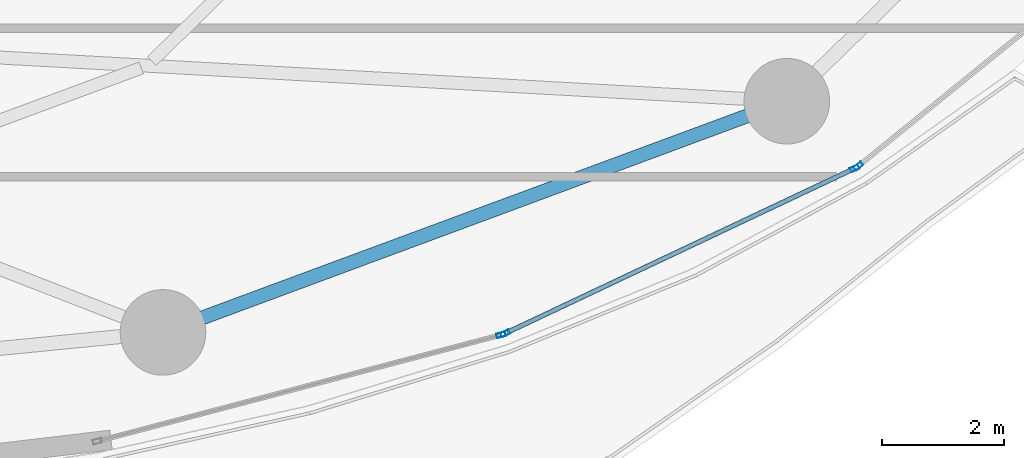
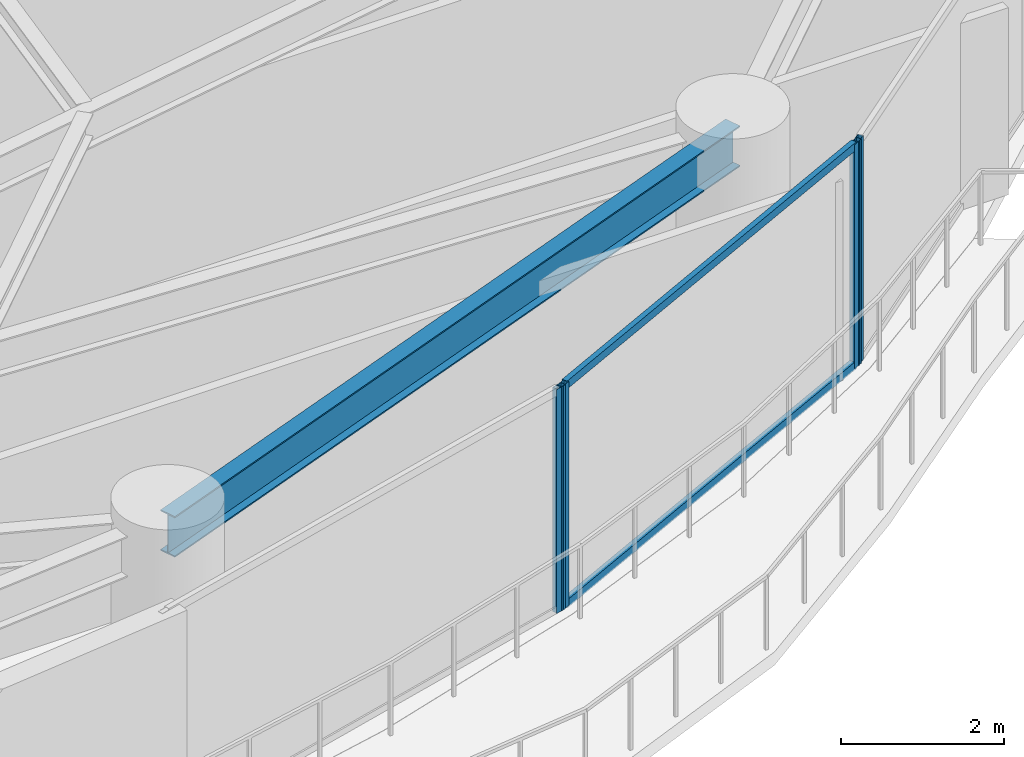
# One storey, part 14 of 31: 6 members, 1 beam, 3 elements without a shape of their own.
"""IFC4 building model written with IfcOpenShell, lengths in metres."""

from ifc_helpers import new_model, si_unit, direction, frame, origin, origin_2d, place, context, subcontext, project, spatial, hollow_rectangle, i_section, extrude, material, layer, layer_set, material_profile, profile_set, type_object, element, aggregate, save


model = new_model("IFC4")

# Units and contexts
model_context = context("Model", 3, precision=1e-05, world=origin(), true_north=direction((0.0, 1.0)))
body_context = subcontext(model_context, "Body", "Model", "MODEL_VIEW")
ifc_project = project(units=[si_unit("LENGTHUNIT", "METRE"), si_unit("AREAUNIT", "SQUARE_METRE"), si_unit("VOLUMEUNIT", "CUBIC_METRE"), si_unit("PLANEANGLEUNIT", "RADIAN"), si_unit("MASSUNIT", "GRAM", prefix="KILO")], contexts=[model_context])

# Site, building, storey
site_placement = place(None, origin())
site = spatial("IfcSite", under=ifc_project, at=site_placement, CompositionType="ELEMENT")
building_placement = place(site_placement, origin())
building = spatial("IfcBuilding", under=site, at=building_placement, Name="Kazevale Care Tower and Concert Hall", CompositionType="ELEMENT")
storey_placement = place(building_placement, frame((0.0, 0.0, 78.0)))
storey = spatial("IfcBuildingStorey", under=building, at=storey_placement, Name="L20", CompositionType="ELEMENT", Elevation=78.0)

# Curtain wall, member
ifc_material_1 = material(Name="Aluminium 6063-T6 and Low-E Glass", Category="aluminium")
ifc_layer = layer(ifc_material_1, 0.179931640625)
ifc_layer_set = layer_set([ifc_layer], Name="Aluminium 6063-T6 and Low-E Glass")
curtain_wall_type = type_object("IfcCurtainWallType", Name="Sheltered Concave Balcony Curtain Wall CW-5", PredefinedType="NOTDEFINED", material=ifc_layer_set)
curtain_wall_1_placement = place(storey_placement, origin())
curtain_wall_1 = element("IfcCurtainWall", 1, at=curtain_wall_1_placement, inside=storey, type_object=curtain_wall_type, Name="cw:L20:f02", PredefinedType="NOTDEFINED")
ifc_material_2 = material(Name="Aluminium 6063-T6", Category="aluminium")
ifc_material_profile_1 = material_profile(ifc_material_2, hollow_rectangle(XDim=0.074951171875, YDim=0.14990234375, WallThickness=0.00390625, at=origin_2d()), Name="ALU75x150x4")
ifc_profile_set_1 = profile_set([ifc_material_profile_1], Name="Aluminium 6063-T6")
member_type_1 = type_object("IfcMemberType", Name="CW-5 Mullion ALU75x150x4", PredefinedType="MULLION", material=ifc_profile_set_1)
member_1_placement = place(storey_placement, frame((68.41015625, 21.250732421875, 0.0), z_axis=(0.0, 0.0, 1.0), x_axis=(0.629994732952, -0.77659940539, 0.0)))
member_1 = element("IfcMember", 2, at=member_1_placement, type_object=member_type_1, Name="CW-5 mullion 2", PredefinedType="MULLION", context=body_context, shape_type="SweptSolid", body=[
    extrude(hollow_rectangle(XDim=0.074951171875, YDim=0.14990234375, WallThickness=0.00390625, at=origin_2d()), origin(), (0.0, 0.0, 1.0), 3.360107421875),
])
aggregate(curtain_wall_1, [member_1])

# Curtain wall, members
curtain_wall_2_placement = place(storey_placement, origin())
curtain_wall_2 = element("IfcCurtainWall", 3, at=curtain_wall_2_placement, inside=storey, type_object=curtain_wall_type, Name="cw:L20:f03", PredefinedType="NOTDEFINED")
member_2_placement = place(storey_placement, frame((68.34716796875, 21.2109375, 0.0), z_axis=(0.0, 0.0, 1.0), x_axis=(0.426942320459, -0.904278859092, 0.0)))
member_2 = element("IfcMember", 4, at=member_2_placement, type_object=member_type_1, Name="CW-5 mullion 1", PredefinedType="MULLION", context=body_context, shape_type="SweptSolid", body=[
    extrude(hollow_rectangle(XDim=0.074951171875, YDim=0.14990234375, WallThickness=0.00390625, at=origin_2d()), origin(), (0.0, 0.0, 1.0), 3.360107421875),
])
member_3_placement = place(storey_placement, frame((62.636962890625, 18.514892578125, 0.0), z_axis=(0.0, 0.0, 1.0), x_axis=(0.426942320459, -0.904278859092, 0.0)))
member_3 = element("IfcMember", 5, at=member_3_placement, type_object=member_type_1, Name="CW-5 mullion 2", PredefinedType="MULLION", context=body_context, shape_type="SweptSolid", body=[
    extrude(hollow_rectangle(XDim=0.074951171875, YDim=0.14990234375, WallThickness=0.00390625, at=origin_2d()), origin(), (0.0, 0.0, 1.0), 3.360107421875),
])

# Curtain wall, member
curtain_wall_3_placement = place(storey_placement, origin())
curtain_wall_3 = element("IfcCurtainWall", 6, at=curtain_wall_3_placement, inside=storey, type_object=curtain_wall_type, Name="cw:L20:f04", PredefinedType="NOTDEFINED")
member_4_placement = place(storey_placement, frame((62.566650390625, 18.489501953125, 0.0), z_axis=(0.0, 0.0, 1.0), x_axis=(0.254828630267, -0.966986230097, 0.0)))
member_4 = element("IfcMember", 7, at=member_4_placement, type_object=member_type_1, Name="CW-5 mullion 1", PredefinedType="MULLION", context=body_context, shape_type="SweptSolid", body=[
    extrude(hollow_rectangle(XDim=0.074951171875, YDim=0.14990234375, WallThickness=0.00390625, at=origin_2d()), origin(), (0.0, 0.0, 1.0), 3.360107421875),
])
aggregate(curtain_wall_3, [member_4])

# Member
ifc_material_profile_2 = material_profile(ifc_material_2, hollow_rectangle(XDim=0.074951171875, YDim=0.1201171875, WallThickness=0.00390625, at=origin_2d()), Name="ALU75x120x4")
ifc_profile_set_2 = profile_set([ifc_material_profile_2], Name="Aluminium 6063-T6")
member_type_2 = type_object("IfcMemberType", Name="CW-5 Transom ALU75x120x4", PredefinedType="USERDEFINED", material=ifc_profile_set_2)
member_5_placement = place(storey_placement, frame((68.313232421875, 21.195068359375, 0.03759765625), z_axis=(-0.904271726847, -0.426957426479, 0.0), x_axis=(0.426957426479, -0.904271726847, 0.0)))
member_5 = element("IfcMember", 8, at=member_5_placement, type_object=member_type_2, Name="CW-5 transom 1.1", ObjectType="TRANSOM", PredefinedType="USERDEFINED", context=body_context, shape_type="SweptSolid", body=[
    extrude(hollow_rectangle(XDim=0.074951171875, YDim=0.1201171875, WallThickness=0.00390625, at=origin_2d()), origin(), (0.0, 0.0, 1.0), 6.23974609375),
])

member_6_placement = place(storey_placement, frame((68.313232421875, 21.195068359375, 3.322509765625), z_axis=(-0.904271726847, -0.426957426479, 0.0), x_axis=(0.426957426479, -0.904271726847, 0.0)))
member_6 = element("IfcMember", 9, at=member_6_placement, type_object=member_type_2, Name="CW-5 transom 1.2", ObjectType="TRANSOM", PredefinedType="USERDEFINED", context=body_context, shape_type="SweptSolid", body=[
    extrude(hollow_rectangle(XDim=0.074951171875, YDim=0.1201171875, WallThickness=0.00390625, at=origin_2d()), origin(), (0.0, 0.0, 1.0), 6.23974609375),
])

aggregate(curtain_wall_2, [member_2, member_3, member_5, member_6])

# Beam
ifc_material_3 = material(Name="Steel ASTM A572 Gr 50", Category="steel")
ifc_material_profile_3 = material_profile(ifc_material_3, i_section(OverallWidth=0.22900390625, OverallDepth=0.612060546875, WebThickness=0.011962890625, FlangeThickness=0.01953125, at=origin_2d()), Name="W610x125")
ifc_profile_set_3 = profile_set([ifc_material_profile_3], Name="Steel ASTM A572 Gr 50")
beam_type = type_object("IfcBeamType", Name="Ring Spandrel Beam W610x125", PredefinedType="SPANDREL", material=ifc_profile_set_3)
beam_placement = place(storey_placement, frame((57.0400390625, 18.530029296875, 3.053955078125), z_axis=(0.937680788596, 0.347497825458, 0.0), x_axis=(-0.347497825458, 0.937680788596, 0.0)))
element("IfcBeam", 10, at=beam_placement, inside=storey, type_object=beam_type, Name="beam:L20:ring:14", PredefinedType="SPANDREL", context=body_context, shape_type="SweptSolid", body=[
    extrude(i_section(OverallWidth=0.22900390625, OverallDepth=0.612060546875, WebThickness=0.011962890625, FlangeThickness=0.01953125, at=origin_2d()), origin(), (0.0, 0.0, 1.0), 10.8779296875),
])

save(model, "model.ifc")
